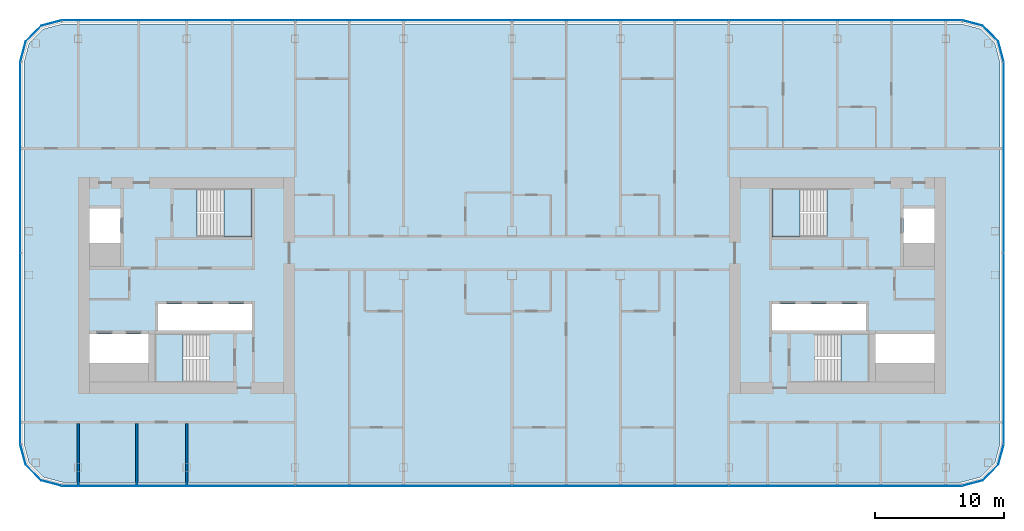
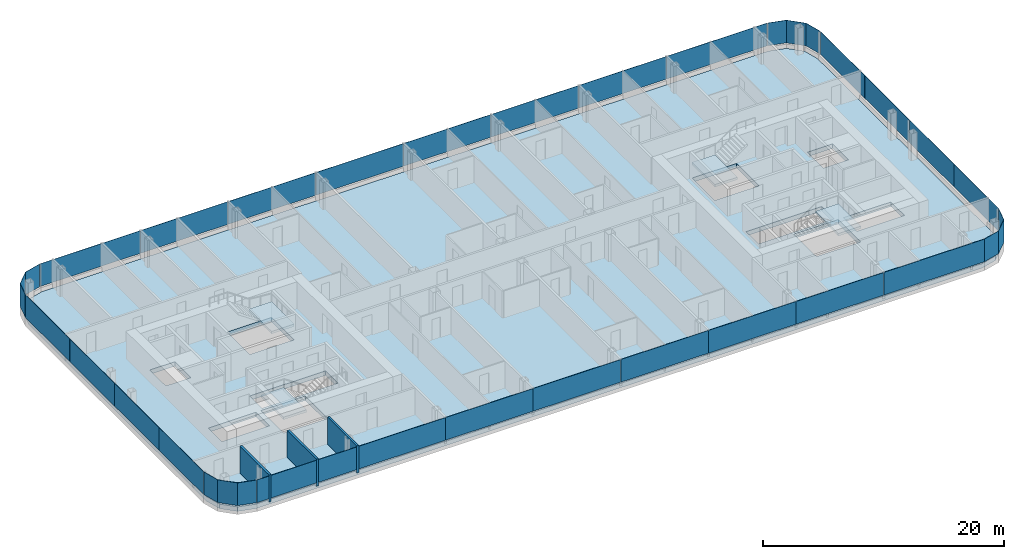
# One storey, part 12 of 26: 28 plates, 5 slabs, 3 walls, 12 elements without a shape of their own.
"""IFC4 building model written with IfcOpenShell, lengths in metres."""

from ifc_helpers import new_model, si_unit, direction, frame, frame_2d, origin, origin_2d, place, context, subcontext, project, spatial, polyline, rectangle, outline, extrude, material, layer, layer_set, type_object, element, aggregate, save


model = new_model("IFC4")

# Units and contexts
model_context = context("Model", 3, precision=1e-05, world=origin(), true_north=direction((0.0, 1.0)))
body_context = subcontext(model_context, "Body", "Model", "MODEL_VIEW")
ifc_project = project(units=[si_unit("LENGTHUNIT", "METRE"), si_unit("AREAUNIT", "SQUARE_METRE"), si_unit("VOLUMEUNIT", "CUBIC_METRE"), si_unit("PLANEANGLEUNIT", "RADIAN"), si_unit("MASSUNIT", "GRAM", prefix="KILO")], contexts=[model_context])

# Site, building, storey
site_placement = place(None, origin())
site = spatial("IfcSite", under=ifc_project, at=site_placement, CompositionType="ELEMENT")
building_placement = place(site_placement, origin())
building = spatial("IfcBuilding", under=site, at=building_placement, Name="Hakoniwa Tower and Hamabe Station Hall", CompositionType="ELEMENT")
storey_placement = place(building_placement, frame((0.0, 0.0, 199.39990234375)))
storey = spatial("IfcBuildingStorey", under=building, at=storey_placement, Name="L56", CompositionType="ELEMENT", Elevation=199.39990234375)

# Stair, slab
ifc_material_1 = material(Name="Concrete C40", Category="concrete")
stair_type = type_object("IfcStairType", Name="ESCAPE STAIR 1800", PredefinedType="HALF_TURN_STAIR", material=ifc_material_1)
stair_1_placement = place(storey_placement, origin())
stair_1 = element("IfcStair", 1, at=stair_1_placement, inside=storey, type_object=stair_type, Name="Escape stair ST-1 L56", PredefinedType="HALF_TURN_STAIR")
ifc_material_2 = material(Name="Concrete C40", Category="concrete")
ifc_layer_1 = layer(ifc_material_2, 0.25)
ifc_layer_set_1 = layer_set([ifc_layer_1], Name="CORE STAIR LANDING 250")
slab_type_1 = type_object("IfcSlabType", Name="CORE STAIR LANDING 250", PredefinedType="LANDING", material=ifc_layer_set_1)
slab_1_placement = place(storey_placement, frame((0.0, 0.0, 1.35009765625)))
slab_1 = element("IfcSlab", 2, at=slab_1_placement, type_object=slab_type_1, Name="ST-1 landing 1", PredefinedType="LANDING", context=body_context, shape_type="SweptSolid", body=[
    extrude(outline(polyline([(-22.320068359375, 3.75), (-20.14990234375, 3.75), (-20.14990234375, 7.5), (-22.320068359375, 7.5), (-22.320068359375, 3.75)])), origin(), (0.0, 0.0, 1.0), 0.25),
])
aggregate(stair_1, [slab_1])

stair_2_placement = place(storey_placement, origin())
stair_2 = element("IfcStair", 3, at=stair_2_placement, inside=storey, type_object=stair_type, Name="Escape stair ST-2 L56", PredefinedType="HALF_TURN_STAIR")
slab_2_placement = place(storey_placement, frame((0.0, 0.0, 1.35009765625)))
slab_2 = element("IfcSlab", 4, at=slab_2_placement, type_object=slab_type_1, Name="ST-2 landing 1", PredefinedType="LANDING", context=body_context, shape_type="SweptSolid", body=[
    extrude(outline(polyline([(-25.47998046875, -7.5), (-27.64990234375, -7.5), (-27.64990234375, -3.75), (-25.47998046875, -3.75), (-25.47998046875, -7.5)])), origin(), (0.0, 0.0, 1.0), 0.25),
])
aggregate(stair_2, [slab_2])

stair_3_placement = place(storey_placement, origin())
stair_3 = element("IfcStair", 5, at=stair_3_placement, inside=storey, type_object=stair_type, Name="Escape stair ST-3 L56", PredefinedType="HALF_TURN_STAIR")
slab_3_placement = place(storey_placement, frame((0.0, 0.0, 1.35009765625)))
slab_3 = element("IfcSlab", 6, at=slab_3_placement, type_object=slab_type_1, Name="ST-3 landing 1", PredefinedType="LANDING", context=body_context, shape_type="SweptSolid", body=[
    extrude(outline(polyline([(22.320068359375, 3.75), (20.14990234375, 3.75), (20.14990234375, 7.5), (22.320068359375, 7.5), (22.320068359375, 3.75)])), origin(), (0.0, 0.0, 1.0), 0.25),
])
aggregate(stair_3, [slab_3])

stair_4_placement = place(storey_placement, origin())
stair_4 = element("IfcStair", 7, at=stair_4_placement, inside=storey, type_object=stair_type, Name="Escape stair ST-4 L56", PredefinedType="HALF_TURN_STAIR")
slab_4_placement = place(storey_placement, frame((0.0, 0.0, 1.35009765625)))
slab_4 = element("IfcSlab", 8, at=slab_4_placement, type_object=slab_type_1, Name="ST-4 landing 1", PredefinedType="LANDING", context=body_context, shape_type="SweptSolid", body=[
    extrude(outline(polyline([(25.47998046875, -7.5), (27.64990234375, -7.5), (27.64990234375, -3.75), (25.47998046875, -3.75), (25.47998046875, -7.5)])), origin(), (0.0, 0.0, 1.0), 0.25),
])
aggregate(stair_4, [slab_4])

# Curtain wall, plates
ifc_material_3 = material(Name="Dark low-e laminated glass", Category="glass")
ifc_layer_2 = layer(ifc_material_3, 0.199951171875)
ifc_layer_set_2 = layer_set([ifc_layer_2], Name="CW-1 UNITISED GUEST")
curtain_wall_type = type_object("IfcCurtainWallType", Name="CW-1 UNITISED GUEST", PredefinedType="NOTDEFINED", material=ifc_layer_set_2)
curtain_wall_1_placement = place(storey_placement, origin())
curtain_wall_1 = element("IfcCurtainWall", 9, at=curtain_wall_1_placement, inside=storey, type_object=curtain_wall_type, Name="CW-1 curtain wall", PredefinedType="NOTDEFINED")
ifc_material_4 = material(Name="Dark low-e laminated glass", Category="glass")
ifc_layer_3 = layer(ifc_material_4, 0.028076171875)
ifc_layer_set_3 = layer_set([ifc_layer_3], Name="CW-1 GLASS UNIT")
plate_type = type_object("IfcPlateType", Name="CW-1 GLASS UNIT", PredefinedType="CURTAIN_PANEL", material=ifc_layer_set_3)
plate_1_placement = place(storey_placement, frame((38.0859375, -8.592041015625, 0.35009765625), z_axis=(0.0, 0.0, 1.0), x_axis=(0.0, 1.0, 0.0)))
plate_1 = element("IfcPlate", 10, at=plate_1_placement, type_object=plate_type, Name="CW-1 glass unit", PredefinedType="CURTAIN_PANEL", context=body_context, shape_type="SweptSolid", body=[
    extrude(rectangle(XDim=7.374755859375, YDim=0.028076171875, at=origin_2d()), origin(), (0.0, 0.0, 1.0), 2.300048828125),
])
plate_2_placement = place(storey_placement, frame((38.0859375, -1.197265625, 0.35009765625), z_axis=(0.0, 0.0, 1.0), x_axis=(0.0, 1.0, 0.0)))
plate_2 = element("IfcPlate", 11, at=plate_2_placement, type_object=plate_type, Name="CW-1 glass unit", PredefinedType="CURTAIN_PANEL", context=body_context, shape_type="SweptSolid", body=[
    extrude(rectangle(XDim=7.374755859375, YDim=0.028076171875, at=origin_2d()), origin(), (0.0, 0.0, 1.0), 2.300048828125),
])
plate_3_placement = place(storey_placement, frame((38.0859375, 6.197265625, 0.35009765625), z_axis=(0.0, 0.0, 1.0), x_axis=(0.0, 1.0, 0.0)))
plate_3 = element("IfcPlate", 12, at=plate_3_placement, type_object=plate_type, Name="CW-1 glass unit", PredefinedType="CURTAIN_PANEL", context=body_context, shape_type="SweptSolid", body=[
    extrude(rectangle(XDim=7.374755859375, YDim=0.028076171875, at=origin_2d()), origin(), (0.0, 0.0, 1.0), 2.300048828125),
])
plate_4_placement = place(storey_placement, frame((38.0859375, 13.592041015625, 0.35009765625), z_axis=(0.0, 0.0, 1.0), x_axis=(0.0, 1.0, 0.0)))
plate_4 = element("IfcPlate", 13, at=plate_4_placement, type_object=plate_type, Name="CW-1 glass unit", PredefinedType="CURTAIN_PANEL", context=body_context, shape_type="SweptSolid", body=[
    extrude(rectangle(XDim=7.374755859375, YDim=0.028076171875, at=origin_2d()), origin(), (0.0, 0.0, 1.0), 2.300048828125),
])
aggregate(curtain_wall_1, [plate_1, plate_2, plate_3, plate_4])

# Curtain wall, plate
curtain_wall_2_placement = place(storey_placement, origin())
curtain_wall_2 = element("IfcCurtainWall", 14, at=curtain_wall_2_placement, inside=storey, type_object=curtain_wall_type, Name="CW-1 curtain wall", PredefinedType="NOTDEFINED")
plate_5_placement = place(storey_placement, frame((0.0, 0.0, 0.35009765625)))
plate_5 = element("IfcPlate", 15, at=plate_5_placement, type_object=plate_type, Name="CW-1 curved corner unit", PredefinedType="CURTAIN_PANEL", context=body_context, shape_type="SweptSolid", body=[
    extrude(outline(polyline([(38.089599609375, 17.328125), (37.6669921875, 18.9052734375), (36.455322265625, 20.116943359375), (34.878173828125, 20.53955078125), (34.870849609375, 20.5126953125), (36.44091796875, 20.092041015625), (37.641845703125, 18.890869140625), (38.0625, 17.32080078125), (38.089599609375, 17.328125)])), origin(), (0.0, 0.0, 1.0), 2.300048828125),
])
aggregate(curtain_wall_2, [plate_5])

# Curtain wall, plates
curtain_wall_3_placement = place(storey_placement, origin())
curtain_wall_3 = element("IfcCurtainWall", 16, at=curtain_wall_3_placement, inside=storey, type_object=curtain_wall_type, Name="CW-1 curtain wall", PredefinedType="NOTDEFINED")
plate_6_placement = place(storey_placement, frame((30.019775390625, 20.535888671875, 0.35009765625), z_axis=(0.0, 0.0, 1.0), x_axis=(-1.0, 0.0, 0.0)))
plate_6 = element("IfcPlate", 17, at=plate_6_placement, type_object=plate_type, Name="CW-1 glass unit", PredefinedType="CURTAIN_PANEL", context=body_context, shape_type="SweptSolid", body=[
    extrude(rectangle(XDim=9.619384765625, YDim=0.028076171875, at=origin_2d()), origin(), (0.0, 0.0, 1.0), 2.300048828125),
])
plate_7_placement = place(storey_placement, frame((21.0, 20.535888671875, 0.35009765625), z_axis=(0.0, 0.0, 1.0), x_axis=(-1.0, 0.0, 0.0)))
plate_7 = element("IfcPlate", 18, at=plate_7_placement, type_object=plate_type, Name="CW-1 glass unit", PredefinedType="CURTAIN_PANEL", context=body_context, shape_type="SweptSolid", body=[
    extrude(rectangle(XDim=8.3798828125, YDim=0.028076171875, at=origin_2d()), origin(), (0.0, 0.0, 1.0), 2.300048828125),
])
plate_8_placement = place(storey_placement, frame((12.60009765625, 20.535888671875, 0.35009765625), z_axis=(0.0, 0.0, 1.0), x_axis=(-1.0, 0.0, 0.0)))
plate_8 = element("IfcPlate", 19, at=plate_8_placement, type_object=plate_type, Name="CW-1 glass unit", PredefinedType="CURTAIN_PANEL", context=body_context, shape_type="SweptSolid", body=[
    extrude(rectangle(XDim=8.3798828125, YDim=0.028076171875, at=origin_2d()), origin(), (0.0, 0.0, 1.0), 2.300048828125),
])
plate_9_placement = place(storey_placement, frame((4.199951171875, 20.535888671875, 0.35009765625), z_axis=(0.0, 0.0, 1.0), x_axis=(-1.0, 0.0, 0.0)))
plate_9 = element("IfcPlate", 20, at=plate_9_placement, type_object=plate_type, Name="CW-1 glass unit", PredefinedType="CURTAIN_PANEL", context=body_context, shape_type="SweptSolid", body=[
    extrude(rectangle(XDim=8.3798828125, YDim=0.028076171875, at=origin_2d()), origin(), (0.0, 0.0, 1.0), 2.300048828125),
])
plate_10_placement = place(storey_placement, frame((-4.199951171875, 20.535888671875, 0.35009765625), z_axis=(0.0, 0.0, 1.0), x_axis=(-1.0, 0.0, 0.0)))
plate_10 = element("IfcPlate", 21, at=plate_10_placement, type_object=plate_type, Name="CW-1 glass unit", PredefinedType="CURTAIN_PANEL", context=body_context, shape_type="SweptSolid", body=[
    extrude(rectangle(XDim=8.3798828125, YDim=0.028076171875, at=origin_2d()), origin(), (0.0, 0.0, 1.0), 2.300048828125),
])
plate_11_placement = place(storey_placement, frame((-12.60009765625, 20.535888671875, 0.35009765625), z_axis=(0.0, 0.0, 1.0), x_axis=(-1.0, 0.0, 0.0)))
plate_11 = element("IfcPlate", 22, at=plate_11_placement, type_object=plate_type, Name="CW-1 glass unit", PredefinedType="CURTAIN_PANEL", context=body_context, shape_type="SweptSolid", body=[
    extrude(rectangle(XDim=8.3798828125, YDim=0.028076171875, at=origin_2d()), origin(), (0.0, 0.0, 1.0), 2.300048828125),
])
plate_12_placement = place(storey_placement, frame((-21.0, 20.535888671875, 0.35009765625), z_axis=(0.0, 0.0, 1.0), x_axis=(-1.0, 0.0, 0.0)))
plate_12 = element("IfcPlate", 23, at=plate_12_placement, type_object=plate_type, Name="CW-1 glass unit", PredefinedType="CURTAIN_PANEL", context=body_context, shape_type="SweptSolid", body=[
    extrude(rectangle(XDim=8.3798828125, YDim=0.028076171875, at=origin_2d()), origin(), (0.0, 0.0, 1.0), 2.300048828125),
])
plate_13_placement = place(storey_placement, frame((-30.019775390625, 20.535888671875, 0.35009765625), z_axis=(0.0, 0.0, 1.0), x_axis=(-1.0, 0.0, 0.0)))
plate_13 = element("IfcPlate", 24, at=plate_13_placement, type_object=plate_type, Name="CW-1 glass unit", PredefinedType="CURTAIN_PANEL", context=body_context, shape_type="SweptSolid", body=[
    extrude(rectangle(XDim=9.619384765625, YDim=0.028076171875, at=origin_2d()), origin(), (0.0, 0.0, 1.0), 2.300048828125),
])
aggregate(curtain_wall_3, [plate_6, plate_7, plate_8, plate_9, plate_10, plate_11, plate_12, plate_13])

# Curtain wall, plate
curtain_wall_4_placement = place(storey_placement, origin())
curtain_wall_4 = element("IfcCurtainWall", 25, at=curtain_wall_4_placement, inside=storey, type_object=curtain_wall_type, Name="CW-1 curtain wall", PredefinedType="NOTDEFINED")
plate_14_placement = place(storey_placement, frame((0.0, 0.0, 0.35009765625)))
plate_14 = element("IfcPlate", 26, at=plate_14_placement, type_object=plate_type, Name="CW-1 curved corner unit", PredefinedType="CURTAIN_PANEL", context=body_context, shape_type="SweptSolid", body=[
    extrude(outline(polyline([(-34.878173828125, 20.53955078125), (-36.455322265625, 20.116943359375), (-37.6669921875, 18.9052734375), (-38.089599609375, 17.328125), (-38.0625, 17.32080078125), (-37.641845703125, 18.890869140625), (-36.44091796875, 20.092041015625), (-34.870849609375, 20.5126953125), (-34.878173828125, 20.53955078125)])), origin(), (0.0, 0.0, 1.0), 2.300048828125),
])
aggregate(curtain_wall_4, [plate_14])

# Curtain wall, plates
curtain_wall_5_placement = place(storey_placement, origin())
curtain_wall_5 = element("IfcCurtainWall", 27, at=curtain_wall_5_placement, inside=storey, type_object=curtain_wall_type, Name="CW-1 curtain wall", PredefinedType="NOTDEFINED")
plate_15_placement = place(storey_placement, frame((-38.0859375, 13.592041015625, 0.35009765625), z_axis=(0.0, 0.0, 1.0), x_axis=(0.0, -1.0, 0.0)))
plate_15 = element("IfcPlate", 28, at=plate_15_placement, type_object=plate_type, Name="CW-1 glass unit", PredefinedType="CURTAIN_PANEL", context=body_context, shape_type="SweptSolid", body=[
    extrude(rectangle(XDim=7.374755859375, YDim=0.028076171875, at=origin_2d()), origin(), (0.0, 0.0, 1.0), 2.300048828125),
])
plate_16_placement = place(storey_placement, frame((-38.0859375, 6.197265625, 0.35009765625), z_axis=(0.0, 0.0, 1.0), x_axis=(0.0, -1.0, 0.0)))
plate_16 = element("IfcPlate", 29, at=plate_16_placement, type_object=plate_type, Name="CW-1 glass unit", PredefinedType="CURTAIN_PANEL", context=body_context, shape_type="SweptSolid", body=[
    extrude(rectangle(XDim=7.374755859375, YDim=0.028076171875, at=origin_2d()), origin(), (0.0, 0.0, 1.0), 2.300048828125),
])
plate_17_placement = place(storey_placement, frame((-38.0859375, -1.197265625, 0.35009765625), z_axis=(0.0, 0.0, 1.0), x_axis=(0.0, -1.0, 0.0)))
plate_17 = element("IfcPlate", 30, at=plate_17_placement, type_object=plate_type, Name="CW-1 glass unit", PredefinedType="CURTAIN_PANEL", context=body_context, shape_type="SweptSolid", body=[
    extrude(rectangle(XDim=7.374755859375, YDim=0.028076171875, at=origin_2d()), origin(), (0.0, 0.0, 1.0), 2.300048828125),
])
plate_18_placement = place(storey_placement, frame((-38.0859375, -8.592041015625, 0.35009765625), z_axis=(0.0, 0.0, 1.0), x_axis=(0.0, -1.0, 0.0)))
plate_18 = element("IfcPlate", 31, at=plate_18_placement, type_object=plate_type, Name="CW-1 glass unit", PredefinedType="CURTAIN_PANEL", context=body_context, shape_type="SweptSolid", body=[
    extrude(rectangle(XDim=7.374755859375, YDim=0.028076171875, at=origin_2d()), origin(), (0.0, 0.0, 1.0), 2.300048828125),
])
aggregate(curtain_wall_5, [plate_15, plate_16, plate_17, plate_18])

# Curtain wall, plate
curtain_wall_6_placement = place(storey_placement, origin())
curtain_wall_6 = element("IfcCurtainWall", 32, at=curtain_wall_6_placement, inside=storey, type_object=curtain_wall_type, Name="CW-1 curtain wall", PredefinedType="NOTDEFINED")
plate_19_placement = place(storey_placement, frame((0.0, 0.0, 0.35009765625)))
plate_19 = element("IfcPlate", 33, at=plate_19_placement, type_object=plate_type, Name="CW-1 curved corner unit", PredefinedType="CURTAIN_PANEL", context=body_context, shape_type="SweptSolid", body=[
    extrude(outline(polyline([(-38.089599609375, -12.328125), (-37.6669921875, -13.9052734375), (-36.455322265625, -15.116943359375), (-34.878173828125, -15.53955078125), (-34.870849609375, -15.5126953125), (-36.44091796875, -15.092041015625), (-37.641845703125, -13.890869140625), (-38.0625, -12.32080078125), (-38.089599609375, -12.328125)])), origin(), (0.0, 0.0, 1.0), 2.300048828125),
])
aggregate(curtain_wall_6, [plate_19])

# Curtain wall, plates
curtain_wall_7_placement = place(storey_placement, origin())
curtain_wall_7 = element("IfcCurtainWall", 34, at=curtain_wall_7_placement, inside=storey, type_object=curtain_wall_type, Name="CW-1 curtain wall", PredefinedType="NOTDEFINED")
plate_20_placement = place(storey_placement, frame((-30.019775390625, -15.535888671875, 0.35009765625), z_axis=(0.0, 0.0, 1.0), x_axis=(1.0, 0.0, 0.0)))
plate_20 = element("IfcPlate", 35, at=plate_20_placement, type_object=plate_type, Name="CW-1 glass unit", PredefinedType="CURTAIN_PANEL", context=body_context, shape_type="SweptSolid", body=[
    extrude(rectangle(XDim=9.619384765625, YDim=0.028076171875, at=origin_2d()), origin(), (0.0, 0.0, 1.0), 2.300048828125),
])
plate_21_placement = place(storey_placement, frame((-21.0, -15.535888671875, 0.35009765625), z_axis=(0.0, 0.0, 1.0), x_axis=(1.0, 0.0, 0.0)))
plate_21 = element("IfcPlate", 36, at=plate_21_placement, type_object=plate_type, Name="CW-1 glass unit", PredefinedType="CURTAIN_PANEL", context=body_context, shape_type="SweptSolid", body=[
    extrude(rectangle(XDim=8.3798828125, YDim=0.028076171875, at=origin_2d()), origin(), (0.0, 0.0, 1.0), 2.300048828125),
])
plate_22_placement = place(storey_placement, frame((-12.60009765625, -15.535888671875, 0.35009765625), z_axis=(0.0, 0.0, 1.0), x_axis=(1.0, 0.0, 0.0)))
plate_22 = element("IfcPlate", 37, at=plate_22_placement, type_object=plate_type, Name="CW-1 glass unit", PredefinedType="CURTAIN_PANEL", context=body_context, shape_type="SweptSolid", body=[
    extrude(rectangle(XDim=8.3798828125, YDim=0.028076171875, at=origin_2d()), origin(), (0.0, 0.0, 1.0), 2.300048828125),
])
plate_23_placement = place(storey_placement, frame((-4.199951171875, -15.535888671875, 0.35009765625), z_axis=(0.0, 0.0, 1.0), x_axis=(1.0, 0.0, 0.0)))
plate_23 = element("IfcPlate", 38, at=plate_23_placement, type_object=plate_type, Name="CW-1 glass unit", PredefinedType="CURTAIN_PANEL", context=body_context, shape_type="SweptSolid", body=[
    extrude(rectangle(XDim=8.3798828125, YDim=0.028076171875, at=origin_2d()), origin(), (0.0, 0.0, 1.0), 2.300048828125),
])
plate_24_placement = place(storey_placement, frame((4.199951171875, -15.535888671875, 0.35009765625), z_axis=(0.0, 0.0, 1.0), x_axis=(1.0, 0.0, 0.0)))
plate_24 = element("IfcPlate", 39, at=plate_24_placement, type_object=plate_type, Name="CW-1 glass unit", PredefinedType="CURTAIN_PANEL", context=body_context, shape_type="SweptSolid", body=[
    extrude(rectangle(XDim=8.3798828125, YDim=0.028076171875, at=origin_2d()), origin(), (0.0, 0.0, 1.0), 2.300048828125),
])
plate_25_placement = place(storey_placement, frame((12.60009765625, -15.535888671875, 0.35009765625), z_axis=(0.0, 0.0, 1.0), x_axis=(1.0, 0.0, 0.0)))
plate_25 = element("IfcPlate", 40, at=plate_25_placement, type_object=plate_type, Name="CW-1 glass unit", PredefinedType="CURTAIN_PANEL", context=body_context, shape_type="SweptSolid", body=[
    extrude(rectangle(XDim=8.3798828125, YDim=0.028076171875, at=origin_2d()), origin(), (0.0, 0.0, 1.0), 2.300048828125),
])
plate_26_placement = place(storey_placement, frame((21.0, -15.535888671875, 0.35009765625), z_axis=(0.0, 0.0, 1.0), x_axis=(1.0, 0.0, 0.0)))
plate_26 = element("IfcPlate", 41, at=plate_26_placement, type_object=plate_type, Name="CW-1 glass unit", PredefinedType="CURTAIN_PANEL", context=body_context, shape_type="SweptSolid", body=[
    extrude(rectangle(XDim=8.3798828125, YDim=0.028076171875, at=origin_2d()), origin(), (0.0, 0.0, 1.0), 2.300048828125),
])
plate_27_placement = place(storey_placement, frame((30.019775390625, -15.535888671875, 0.35009765625), z_axis=(0.0, 0.0, 1.0), x_axis=(1.0, 0.0, 0.0)))
plate_27 = element("IfcPlate", 42, at=plate_27_placement, type_object=plate_type, Name="CW-1 glass unit", PredefinedType="CURTAIN_PANEL", context=body_context, shape_type="SweptSolid", body=[
    extrude(rectangle(XDim=9.619384765625, YDim=0.028076171875, at=origin_2d()), origin(), (0.0, 0.0, 1.0), 2.300048828125),
])
aggregate(curtain_wall_7, [plate_20, plate_21, plate_22, plate_23, plate_24, plate_25, plate_26, plate_27])

# Curtain wall, plate
curtain_wall_8_placement = place(storey_placement, origin())
curtain_wall_8 = element("IfcCurtainWall", 43, at=curtain_wall_8_placement, inside=storey, type_object=curtain_wall_type, Name="CW-1 curtain wall", PredefinedType="NOTDEFINED")
plate_28_placement = place(storey_placement, frame((0.0, 0.0, 0.35009765625)))
plate_28 = element("IfcPlate", 44, at=plate_28_placement, type_object=plate_type, Name="CW-1 curved corner unit", PredefinedType="CURTAIN_PANEL", context=body_context, shape_type="SweptSolid", body=[
    extrude(outline(polyline([(34.878173828125, -15.53955078125), (36.455322265625, -15.116943359375), (37.6669921875, -13.9052734375), (38.089599609375, -12.328125), (38.0625, -12.32080078125), (37.641845703125, -13.890869140625), (36.44091796875, -15.092041015625), (34.870849609375, -15.5126953125), (34.878173828125, -15.53955078125)])), origin(), (0.0, 0.0, 1.0), 2.300048828125),
])
aggregate(curtain_wall_8, [plate_28])

# Slab
ifc_material_5 = material(Name="Concrete C42", Category="concrete")
ifc_layer_4 = layer(ifc_material_5, 0.449951171875)
ifc_layer_set_4 = layer_set([ifc_layer_4], Name="PT FLAT PLATE 450")
slab_type_2 = type_object("IfcSlabType", Name="PT FLAT PLATE 450", PredefinedType="FLOOR", material=ifc_layer_set_4)
slab_5_placement = place(storey_placement, frame((0.0, 0.0, -0.449951171875)))
element("IfcSlab", 45, at=slab_5_placement, inside=storey, type_object=slab_type_2, Name="Floor slab L56", PredefinedType="FLOOR", context=body_context, shape_type="SweptSolid", body=[
    extrude(outline(polyline([(37.800048828125, -12.25), (37.800048828125, 17.25), (37.398193359375, 18.75), (36.300048828125, 19.84814453125), (34.800048828125, 20.25), (-34.800048828125, 20.25), (-36.300048828125, 19.84814453125), (-37.398193359375, 18.75), (-37.800048828125, 17.25), (-37.800048828125, -12.25), (-37.398193359375, -13.75), (-36.300048828125, -14.84814453125), (-34.800048828125, -15.25), (34.800048828125, -15.25), (36.300048828125, -14.84814453125), (37.398193359375, -13.75), (37.800048828125, -12.25)]), holes=[polyline([(-27.39990234375, -3.5), (-27.39990234375, -1.449951171875), (-20.14990234375, -1.449951171875), (-20.14990234375, -3.5), (-27.39990234375, -3.5)]), polyline([(-32.699951171875, 3.300048828125), (-32.699951171875, 5.949951171875), (-30.300048828125, 5.949951171875), (-30.300048828125, 3.300048828125), (-32.699951171875, 3.300048828125)]), polyline([(-32.699951171875, -6.0), (-32.699951171875, -3.75), (-28.14990234375, -3.75), (-28.14990234375, -6.0), (-32.699951171875, -6.0)]), polyline([(-24.389892578125, 3.75), (-24.389892578125, 7.5), (-20.14990234375, 7.5), (-20.14990234375, 3.75), (-24.389892578125, 3.75)]), polyline([(-27.64990234375, -7.5), (-27.64990234375, -3.75), (-23.409912109375, -3.75), (-23.409912109375, -7.5), (-27.64990234375, -7.5)]), polyline([(20.14990234375, -3.5), (20.14990234375, -1.449951171875), (27.39990234375, -1.449951171875), (27.39990234375, -3.5), (20.14990234375, -3.5)]), polyline([(30.300048828125, 3.300048828125), (30.300048828125, 5.949951171875), (32.699951171875, 5.949951171875), (32.699951171875, 3.300048828125), (30.300048828125, 3.300048828125)]), polyline([(28.14990234375, -6.0), (28.14990234375, -3.75), (32.699951171875, -3.75), (32.699951171875, -6.0), (28.14990234375, -6.0)]), polyline([(20.14990234375, 3.75), (20.14990234375, 7.5), (24.389892578125, 7.5), (24.389892578125, 3.75), (20.14990234375, 3.75)]), polyline([(23.409912109375, -7.5), (23.409912109375, -3.75), (27.64990234375, -3.75), (27.64990234375, -7.5), (23.409912109375, -7.5)])]), origin(), (0.0, 0.0, 1.0), 0.449951171875),
])

# Walls
ifc_material_6 = material(Name="Fire-rated gypsum board partition", Category="gypsum")
ifc_layer_5 = layer(ifc_material_6, 0.199951171875)
ifc_layer_set_5 = layer_set([ifc_layer_5], Name="Party Wall 200")
wall_type = type_object("IfcWallType", Name="Party Wall 200", PredefinedType="PARTITIONING", material=ifc_layer_set_5)
for number, where, z_axis, x_axis, name in (
    (46, (-33.60009765625, -15.550048828125, 0.0), (0.0, 0.0, 1.0), (0.0, 1.0, 0.0), "GW-L56-023"),
    (47, (-29.06005859375, -15.550048828125, 0.0), (0.0, 0.0, 1.0), (0.0, 1.0, 0.0), "GW-L56-025"),
    (48, (-25.199951171875, -15.550048828125, 0.0), (0.0, 0.0, 1.0), (0.0, 1.0, 0.0), "GW-L56-027"),
):
    element("IfcWall", number, at=place(storey_placement, frame(where, z_axis=z_axis, x_axis=x_axis)), inside=storey, type_object=wall_type, Name=name, PredefinedType="PARTITIONING", context=body_context, shape_type="SweptSolid", body=[
        extrude(rectangle(XDim=4.85009765625, YDim=0.199951171875, at=frame_2d((2.425048828125, 0.0))), origin(), (0.0, 0.0, 1.0), 2.75),
    ])

save(model, "model.ifc")
